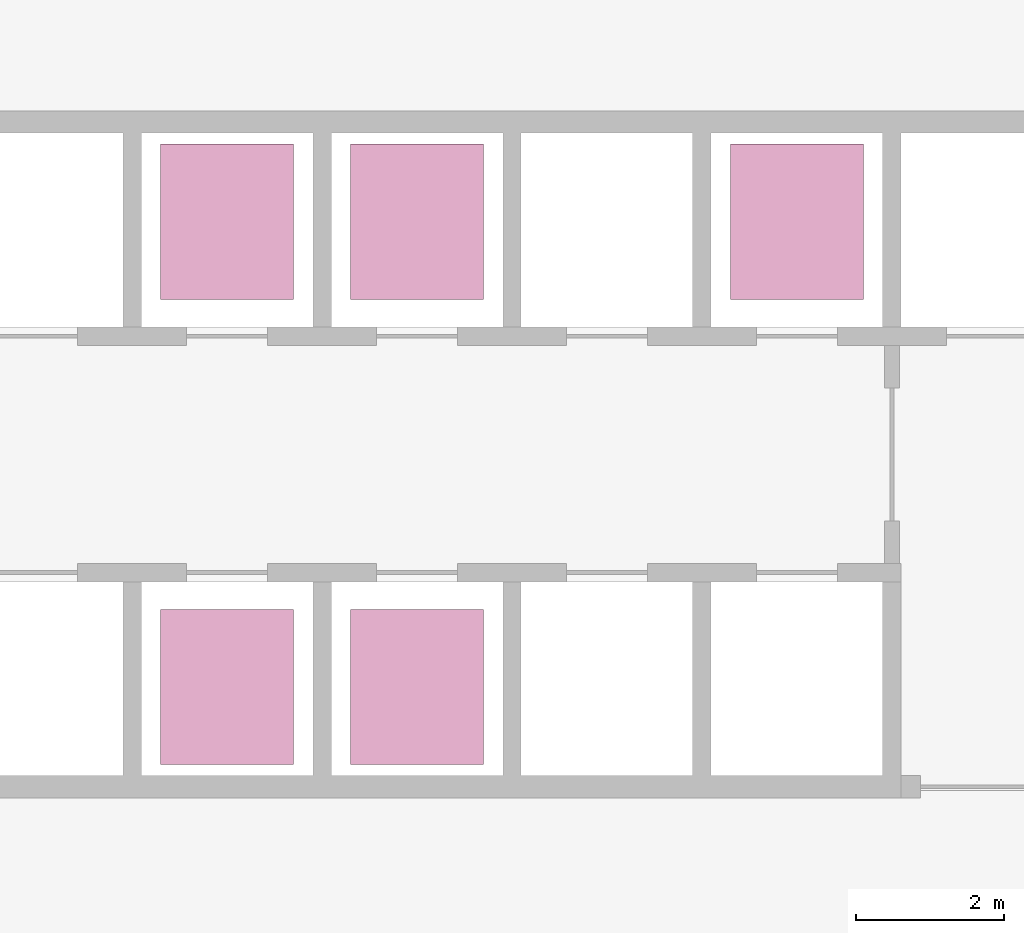
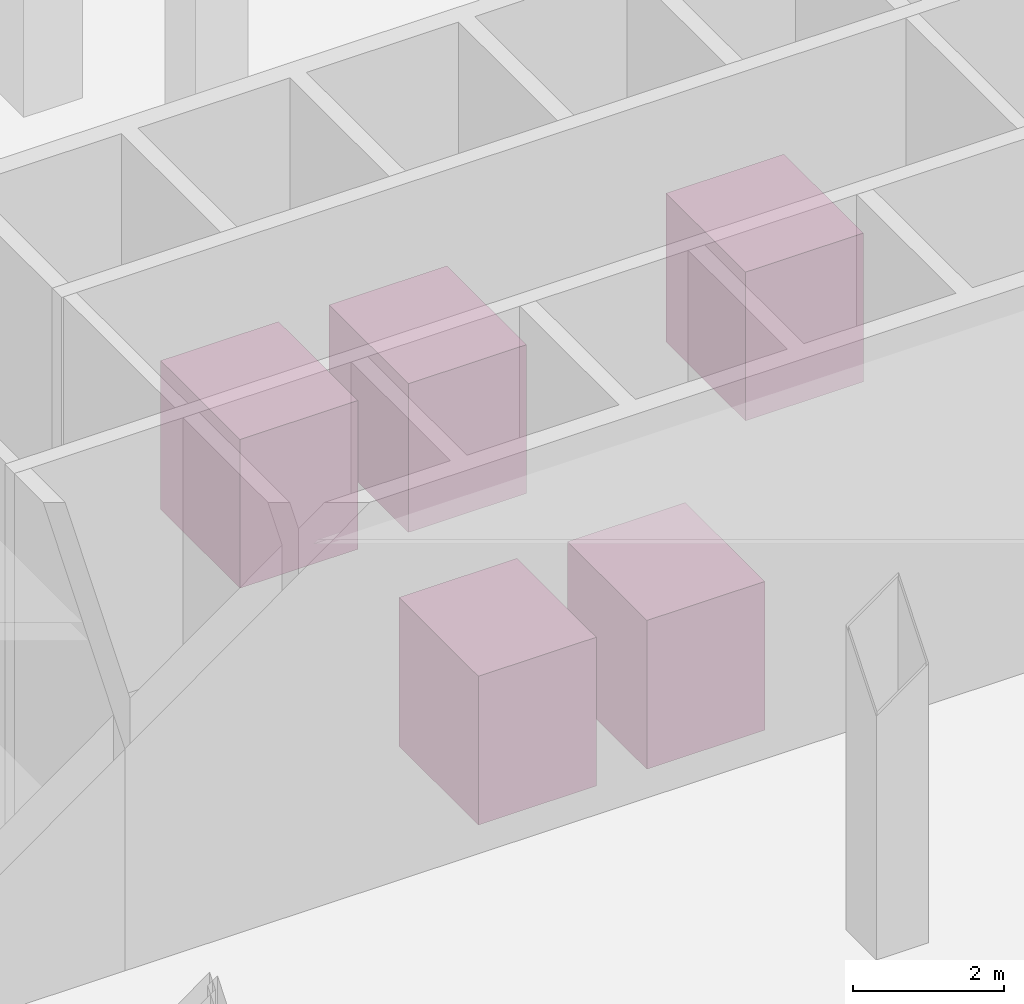
# One storey, part 38 of 38: 5 transport elements.
"""IFC4 building model written with IfcOpenShell, lengths in metres."""

from ifc_helpers import new_model, si_unit, direction, frame, origin, origin_2d, place, context, subcontext, project, spatial, rectangle, extrude, material, type_object, element, save


model = new_model("IFC4")

# Units and contexts
model_context = context("Model", 3, precision=1e-05, world=origin(), true_north=direction((0.0, 1.0)))
body_context = subcontext(model_context, "Body", "Model", "MODEL_VIEW")
ifc_project = project(units=[si_unit("LENGTHUNIT", "METRE"), si_unit("AREAUNIT", "SQUARE_METRE"), si_unit("VOLUMEUNIT", "CUBIC_METRE"), si_unit("PLANEANGLEUNIT", "RADIAN"), si_unit("MASSUNIT", "GRAM", prefix="KILO")], contexts=[model_context])

# Site, building, storey
site_placement = place(None, origin())
site = spatial("IfcSite", under=ifc_project, at=site_placement, CompositionType="ELEMENT")
building_placement = place(site_placement, origin())
building = spatial("IfcBuilding", under=site, at=building_placement, Name="Caravel Reach Hotel and Residences", CompositionType="ELEMENT")
storey_placement = place(building_placement, origin())
storey = spatial("IfcBuildingStorey", under=building, at=storey_placement, Name="L00", CompositionType="ELEMENT", Elevation=0.0)

# Transport elements
ifc_material = material(Name="Stainless steel lift car", Category="steel")
transport_element_type = type_object("IfcTransportElementType", Name="Passenger lift car 1800 x 2100", PredefinedType="ELEVATOR", material=ifc_material)
for number, where, z_axis, x_axis, name in (
    (1, (31.5, 23.85009765625, 0.10009765625), (0.0, 0.0, 1.0), (1.0, 0.0, 0.0), "MP1"),
    (2, (31.5, 30.14990234375, 0.10009765625), (0.0, 0.0, 1.0), (1.0, 0.0, 0.0), "MP2"),
    (3, (36.642822265625, 30.14990234375, 0.10009765625), (0.0, 0.0, 1.0), (1.0, 0.0, 0.0), "MP3"),
    (4, (28.9287109375, 23.85009765625, 0.10009765625), (0.0, 0.0, 1.0), (1.0, 0.0, 0.0), "HP1"),
    (5, (28.9287109375, 30.14990234375, 0.10009765625), (0.0, 0.0, 1.0), (1.0, 0.0, 0.0), "HP2"),
):
    element("IfcTransportElement", number, at=place(storey_placement, frame(where, z_axis=z_axis, x_axis=x_axis)), inside=storey, type_object=transport_element_type, Name=name, PredefinedType="ELEVATOR", context=body_context, shape_type="SweptSolid", body=[
        extrude(rectangle(XDim=1.800048828125, YDim=2.10009765625, at=origin_2d()), origin(), (0.0, 0.0, 1.0), 2.39990234375),
    ])

save(model, "model.ifc")
